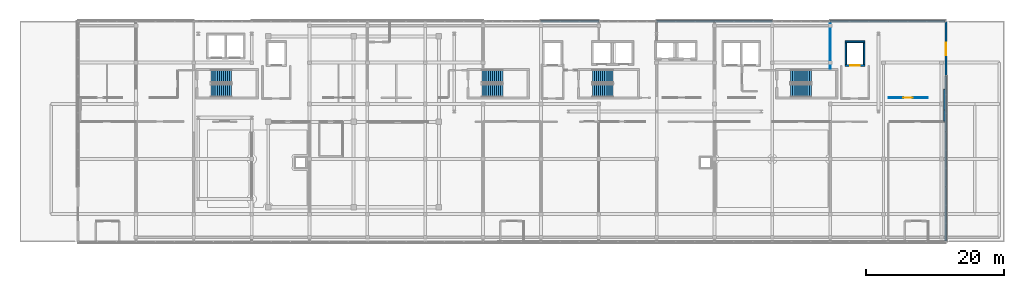
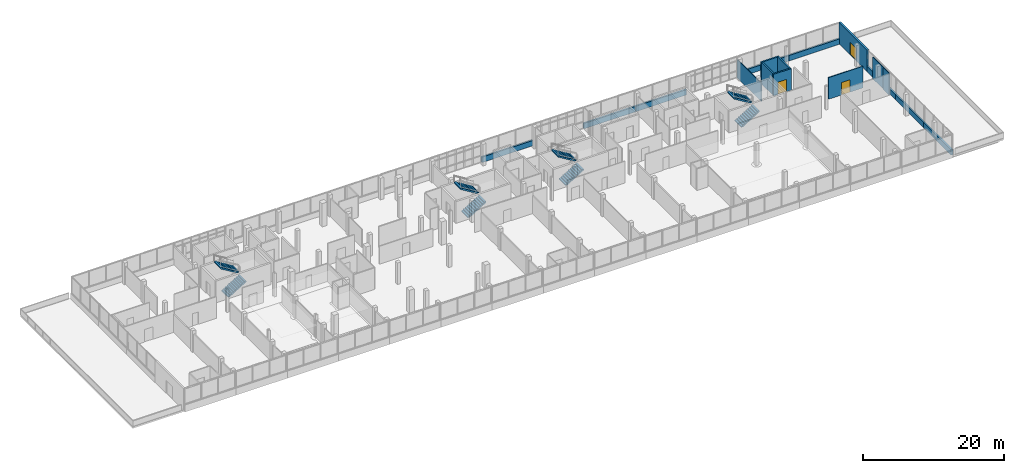
# One storey, part 60 of 67: 17 walls, 8 stair flights, 3 doors, 3 openings, 4 elements without a shape of their own.
"""IFC4 building model written with IfcOpenShell, lengths in metres."""

from ifc_helpers import new_model, si_unit, direction, frame, frame_2d, origin, place, context, subcontext, project, spatial, polyline, rectangle, outline, extrude, material, layer, layer_set, type_object, element, fill, aggregate, save


model = new_model("IFC4")

# Units and contexts
model_context = context("Model", 3, precision=1e-05, world=origin(), true_north=direction((0.0, 1.0)))
body_context = subcontext(model_context, "Body", "Model", "MODEL_VIEW")
ifc_project = project(units=[si_unit("LENGTHUNIT", "METRE"), si_unit("AREAUNIT", "SQUARE_METRE"), si_unit("VOLUMEUNIT", "CUBIC_METRE"), si_unit("PLANEANGLEUNIT", "RADIAN"), si_unit("MASSUNIT", "GRAM", prefix="KILO")], contexts=[model_context])

# Site, building, storey
site_placement = place(None, origin())
site = spatial("IfcSite", under=ifc_project, at=site_placement, CompositionType="ELEMENT")
building_placement = place(site_placement, origin())
building = spatial("IfcBuilding", under=site, at=building_placement, Name="Selatvlak General Hospital", CompositionType="ELEMENT")
storey_placement = place(building_placement, frame((0.0, 0.0, 35.39990234375)))
storey = spatial("IfcBuildingStorey", under=building, at=storey_placement, Name="L08", CompositionType="ELEMENT", Elevation=35.39990234375)

# Walls
ifc_material_1 = material(Name="Precast concrete C40/50 - white Bauhaus spandrel", Category="concrete")
ifc_layer_1 = layer(ifc_material_1, 0.280029296875, Name="Precast concrete C40/50 - white Bauhaus spandrel", Category="concrete")
ifc_layer_set_1 = layer_set([ifc_layer_1], Name="Precast concrete C40/50 - white Bauhaus spandrel")
wall_type_1 = type_object("IfcWallType", Name="WALL-EW-02", PredefinedType="SOLIDWALL", material=ifc_layer_set_1)
wall_1_placement = place(storey_placement, frame((98.40087890625, 120.0, 0.0), z_axis=(0.0, 0.0, 1.0), x_axis=(1.0, 0.0, 0.0)))
element("IfcWall", 1, at=wall_1_placement, inside=storey, type_object=wall_type_1, Name="L08 Bauhaus spandrel sill wall 0613", PredefinedType="SOLIDWALL", context=body_context, shape_type="SweptSolid", body=[
    extrude(rectangle(XDim=8.396240234375, YDim=0.280029296875, at=frame_2d((4.1982421875, 0.0))), origin(), (0.0, 0.0, 1.0), 0.940185546875),
])
for number, where, z_axis, x_axis, name in (
    (2, (115.200927734375, 120.0, 0.0), (0.0, 0.0, 1.0), (1.0, 0.0, 0.0), "L08 Bauhaus spandrel sill wall 0614"),
    (3, (123.60107421875, 120.0, 0.0), (0.0, 0.0, 1.0), (1.0, 0.0, 0.0), "L08 Bauhaus spandrel sill wall 0615"),
):
    element("IfcWall", number, at=place(storey_placement, frame(where, z_axis=z_axis, x_axis=x_axis)), inside=storey, type_object=wall_type_1, Name=name, PredefinedType="SOLIDWALL", context=body_context, shape_type="SweptSolid", body=[
        extrude(rectangle(XDim=8.39599609375, YDim=0.280029296875, at=frame_2d((4.197998046875, 0.0))), origin(), (0.0, 0.0, 1.0), 0.940185546875),
    ])
wall_2_placement = place(storey_placement, frame((140.40087890625, 120.0, 0.0), z_axis=(0.0, 0.0, 1.0), x_axis=(1.0, 0.0, 0.0)))
element("IfcWall", 4, at=wall_2_placement, inside=storey, type_object=wall_type_1, Name="L08 Bauhaus spandrel sill wall 0616", PredefinedType="SOLIDWALL", context=body_context, shape_type="SweptSolid", body=[
    extrude(rectangle(XDim=8.396240234375, YDim=0.280029296875, at=frame_2d((4.1982421875, 0.0))), origin(), (0.0, 0.0, 1.0), 0.940185546875),
])
wall_3_placement = place(storey_placement, frame((148.801025390625, 120.0, 0.0), z_axis=(0.0, 0.0, 1.0), x_axis=(1.0, 0.0, 0.0)))
element("IfcWall", 5, at=wall_3_placement, inside=storey, type_object=wall_type_1, Name="L08 Bauhaus spandrel sill wall 0617", PredefinedType="SOLIDWALL", context=body_context, shape_type="SweptSolid", body=[
    extrude(rectangle(XDim=8.258056640625, YDim=0.280029296875, at=frame_2d((4.12890625, 0.0))), origin(), (0.0, 0.0, 1.0), 0.940185546875),
])

# Wall, opening, door
wall_4_placement = place(storey_placement, frame((157.198974609375, 120.0, 0.0), z_axis=(0.0, 0.0, 1.0), x_axis=(0.0, -1.0, 0.0)))
wall_4 = element("IfcWall", 6, at=wall_4_placement, inside=storey, type_object=wall_type_1, Name="L08 exterior wall 0618", PredefinedType="SOLIDWALL", context=body_context, shape_type="SweptSolid", body=[
    extrude(rectangle(XDim=8.0, YDim=0.280029296875, at=frame_2d((4.0, 0.0))), origin(), (0.0, 0.0, 1.0), 3.739990234375),
])
opening_1_placement = place(wall_4_placement, frame((3.10009765625, 0.0, 0.0)))
opening_1 = element("IfcOpeningElement", 7, at=opening_1_placement, cuts=wall_4, Name="Opening DE-04", PredefinedType="OPENING", context=body_context, shape_type="SweptSolid", body=[
    extrude(rectangle(XDim=1.800048828125, YDim=2.199951171875, at=frame_2d((0.89990234375, 1.10009765625))), frame((0.0, 0.14990234375, 0.0), z_axis=(0.0, -1.0, 0.0), x_axis=(1.0, 0.0, 0.0)), (0.0, 0.0, 1.0), 0.300048828125),
])
ifc_material_2 = material(Name="Anodised aluminium terrace double door", Category="aluminium")
door_type_1 = type_object("IfcDoorType", Name="DOOR-DE-04", OperationType="DOUBLE_DOOR_SINGLE_SWING", PredefinedType="DOOR", material=ifc_material_2)
door_1_placement = place(opening_1_placement, origin())
door_1 = element("IfcDoor", 8, at=door_1_placement, inside=storey, type_object=door_type_1, Name="L08 healing roof terrace door 035", OperationType="DOUBLE_DOOR_SINGLE_SWING", OverallHeight=2.199951171875, OverallWidth=1.800048828125, PredefinedType="DOOR", context=body_context, shape_type="SweptSolid", body=[
    extrude(rectangle(XDim=1.800048828125, YDim=2.199951171875, at=frame_2d((0.89990234375, 1.10009765625))), frame((0.0, 0.02490234375, 0.0), z_axis=(0.0, -1.0, 0.0), x_axis=(1.0, 0.0, 0.0)), (0.0, 0.0, 1.0), 0.050048828125),
])
fill(opening_1, door_1)

# Walls
wall_5_placement = place(storey_placement, frame((157.198974609375, 111.998046875, 0.0), z_axis=(0.0, 0.0, 1.0), x_axis=(0.000122144863, -0.99999999254, 0.0)))
element("IfcWall", 9, at=wall_5_placement, inside=storey, type_object=wall_type_1, Name="L08 Bauhaus spandrel sill wall 0619", PredefinedType="SOLIDWALL", context=body_context, shape_type="SweptSolid", body=[
    extrude(rectangle(XDim=7.9951171875, YDim=0.280029296875, at=frame_2d((3.99755859375, 0.0))), origin(), (0.0, 0.0, 1.0), 0.940185546875),
])
wall_6_placement = place(storey_placement, frame((157.199951171875, 103.9990234375, 0.0), z_axis=(0.0, 0.0, 1.0), x_axis=(0.0, -1.0, 0.0)))
element("IfcWall", 10, at=wall_6_placement, inside=storey, type_object=wall_type_1, Name="L08 Bauhaus spandrel sill wall 0620", PredefinedType="SOLIDWALL", context=body_context, shape_type="SweptSolid", body=[
    extrude(rectangle(XDim=7.99609375, YDim=0.280029296875, at=frame_2d((3.998046875, 0.0))), origin(), (0.0, 0.0, 1.0), 0.940185546875),
])
wall_7_placement = place(storey_placement, frame((157.199951171875, 95.9990234375, 0.0), z_axis=(0.0, 0.0, 1.0), x_axis=(0.0, -1.0, 0.0)))
element("IfcWall", 11, at=wall_7_placement, inside=storey, type_object=wall_type_1, Name="L08 Bauhaus spandrel sill wall 0621", PredefinedType="SOLIDWALL", context=body_context, shape_type="SweptSolid", body=[
    extrude(rectangle(XDim=7.85791015625, YDim=0.280029296875, at=frame_2d((3.928955078125, 0.0))), origin(), (0.0, 0.0, 1.0), 0.940185546875),
])
ifc_material_3 = material(Name="Acoustic gypsum stud partition")
ifc_layer_2 = layer(ifc_material_3, 0.179931640625, Name="Acoustic gypsum stud partition")
ifc_layer_set_2 = layer_set([ifc_layer_2], Name="Acoustic gypsum stud partition")
wall_type_2 = type_object("IfcWallType", Name="WALL-PT-01", PredefinedType="PARTITIONING", material=ifc_layer_set_2)
wall_8_placement = place(storey_placement, frame((156.9599609375, 105.50390625, 0.0), z_axis=(0.0, 0.0, 1.0), x_axis=(0.0, 1.0, 0.0)))
element("IfcWall", 12, at=wall_8_placement, inside=storey, type_object=wall_type_2, Name="L08 clinical partition PT-L08-2202", PredefinedType="PARTITIONING", context=body_context, shape_type="SweptSolid", body=[
    extrude(rectangle(XDim=1.59619140625, YDim=0.179931640625, at=frame_2d((0.798095703125, 0.0))), origin(), (0.0, 0.0, 1.0), 3.739990234375),
])
ifc_layer_3 = layer(ifc_material_3, 0.14990234375, Name="Acoustic gypsum stud partition")
ifc_layer_set_3 = layer_set([ifc_layer_3], Name="Acoustic gypsum stud partition")
wall_type_3 = type_object("IfcWallType", Name="WALL-PT-03", PredefinedType="PARTITIONING", material=ifc_layer_set_3)
wall_9_placement = place(storey_placement, frame((156.9599609375, 107.10009765625, 0.0), z_axis=(0.0, 0.0, 1.0), x_axis=(0.0, 1.0, 0.0)))
element("IfcWall", 13, at=wall_9_placement, inside=storey, type_object=wall_type_3, Name="L08 clinical partition PT-L08-2237", PredefinedType="PARTITIONING", context=body_context, shape_type="SweptSolid", body=[
    extrude(rectangle(XDim=3.018798828125, YDim=0.14990234375, at=frame_2d((1.50927734375, 0.0))), origin(), (0.0, 0.0, 1.0), 3.739990234375),
])

# Wall, opening, door
ifc_material_4 = material(Name="Moisture-resistant clinical partition")
ifc_layer_4 = layer(ifc_material_4, 0.135009765625, Name="Moisture-resistant clinical partition")
ifc_layer_set_4 = layer_set([ifc_layer_4], Name="Moisture-resistant clinical partition")
wall_type_4 = type_object("IfcWallType", Name="WALL-PT-04", PredefinedType="PARTITIONING", material=ifc_layer_set_4)
wall_10_placement = place(storey_placement, frame((154.5390625, 108.909912109375, 0.0), z_axis=(0.0, 0.0, 1.0), x_axis=(-1.0, 0.0, 0.0)))
wall_10 = element("IfcWall", 14, at=wall_10_placement, inside=storey, type_object=wall_type_4, Name="L08 clinical partition PT-L08-2238", PredefinedType="PARTITIONING", context=body_context, shape_type="SweptSolid", body=[
    extrude(rectangle(XDim=5.653076171875, YDim=0.135009765625, at=frame_2d((2.82666015625, 0.0))), origin(), (0.0, 0.0, 1.0), 3.739990234375),
])
opening_2_placement = place(wall_10_placement, frame((2.1259765625, 0.0, 0.0)))
opening_2 = element("IfcOpeningElement", 15, at=opening_2_placement, cuts=wall_10, Name="Opening D-11", PredefinedType="OPENING", context=body_context, shape_type="SweptSolid", body=[
    extrude(rectangle(XDim=1.39990234375, YDim=2.14990234375, at=frame_2d((0.699951171875, 1.074951171875))), frame((0.0, 0.077392578125, 0.0), z_axis=(0.0, -1.0, 0.0), x_axis=(1.0, 0.0, 0.0)), (0.0, 0.0, 1.0), 0.155029296875),
])
ifc_material_5 = material(Name="Inpatient suite bed door")
door_type_2 = type_object("IfcDoorType", Name="DOOR-D-11", OperationType="NOTDEFINED", PredefinedType="DOOR", material=ifc_material_5)
door_2_placement = place(opening_2_placement, origin())
door_2 = element("IfcDoor", 16, at=door_2_placement, inside=storey, type_object=door_type_2, Name="L08 Helipad Trauma Staging Room 26 door", OperationType="SINGLE_SWING_LEFT", OverallHeight=2.14990234375, OverallWidth=1.39990234375, PredefinedType="DOOR", context=body_context, shape_type="SweptSolid", body=[
    extrude(rectangle(XDim=1.39990234375, YDim=2.14990234375, at=frame_2d((0.699951171875, 1.074951171875))), frame((0.0, 0.02490234375, 0.0), z_axis=(0.0, -1.0, 0.0), x_axis=(1.0, 0.0, 0.0)), (0.0, 0.0, 1.0), 0.050048828125),
])
fill(opening_2, door_2)

# Wall
ifc_layer_5 = layer(ifc_material_4, 0.1201171875, Name="Moisture-resistant clinical partition")
ifc_layer_set_5 = layer_set([ifc_layer_5], Name="Moisture-resistant clinical partition")
wall_type_5 = type_object("IfcWallType", Name="WALL-PT-05", PredefinedType="PARTITIONING", material=ifc_layer_set_5)
wall_11_placement = place(storey_placement, frame((140.39990234375, 119.989990234375, 0.0), z_axis=(0.0, 0.0, 1.0), x_axis=(0.0, -1.0, 0.0)))
element("IfcWall", 17, at=wall_11_placement, inside=storey, type_object=wall_type_5, Name="L08 clinical partition PT-L08-2229", PredefinedType="PARTITIONING", context=body_context, shape_type="SweptSolid", body=[
    extrude(rectangle(XDim=6.843017578125, YDim=0.1201171875, at=frame_2d((3.42138671875, 0.0))), origin(), (0.0, 0.0, 1.0), 3.14013671875),
])

# Wall, opening, door
ifc_material_6 = material(Name="Concrete C40/50", Category="concrete")
ifc_layer_6 = layer(ifc_material_6, 0.25, Name="Concrete C40/50", Category="concrete")
ifc_layer_set_6 = layer_set([ifc_layer_6], Name="Concrete C40/50")
wall_type_6 = type_object("IfcWallType", Name="WALL-SW-03", PredefinedType="SHEAR", material=ifc_layer_set_6)
wall_12_placement = place(storey_placement, frame((142.550048828125, 113.574951171875, 0.0), z_axis=(0.0, 0.0, 1.0), x_axis=(1.0, 0.0, 0.0)))
wall_12 = element("IfcWall", 18, at=wall_12_placement, inside=storey, type_object=wall_type_6, Name="Lift LF-03 shaft wall L08 S", PredefinedType="SHEAR", context=body_context, shape_type="SweptSolid", body=[
    extrude(rectangle(XDim=2.89990234375, YDim=0.25, at=frame_2d((1.449951171875, 0.0))), origin(), (0.0, 0.0, 1.0), 3.739990234375),
])
opening_3_placement = place(wall_12_placement, frame((0.75, 0.0, 0.0)))
opening_3 = element("IfcOpeningElement", 19, at=opening_3_placement, cuts=wall_12, Name="Opening LD-F1", PredefinedType="OPENING", context=body_context, shape_type="SweptSolid", body=[
    extrude(rectangle(XDim=1.39990234375, YDim=2.14990234375, at=frame_2d((0.699951171875, 1.074951171875))), frame((0.0, 0.135009765625, 0.0), z_axis=(0.0, -1.0, 0.0), x_axis=(1.0, 0.0, 0.0)), (0.0, 0.0, 1.0), 0.27001953125),
])
ifc_material_7 = material(Name="Stainless steel fire lift landing door", Category="steel")
door_type_3 = type_object("IfcDoorType", Name="DOOR-LD-F1", OperationType="DOUBLE_DOOR_SLIDING", PredefinedType="DOOR", material=ifc_material_7)
door_3_placement = place(opening_3_placement, origin())
door_3 = element("IfcDoor", 20, at=door_3_placement, inside=storey, type_object=door_type_3, Name="Lift LF-03 sliding landing door on L08", OperationType="DOUBLE_DOOR_SLIDING", OverallHeight=2.14990234375, OverallWidth=1.39990234375, PredefinedType="DOOR", context=body_context, shape_type="SweptSolid", body=[
    extrude(rectangle(XDim=1.39990234375, YDim=2.14990234375, at=frame_2d((0.699951171875, 1.074951171875))), frame((0.0, 0.02490234375, 0.0), z_axis=(0.0, -1.0, 0.0), x_axis=(1.0, 0.0, 0.0)), (0.0, 0.0, 1.0), 0.050048828125),
])
fill(opening_3, door_3)

# Walls
wall_13_placement = place(storey_placement, frame((145.324951171875, 113.699951171875, 0.0), z_axis=(0.0, 0.0, 1.0), x_axis=(0.0, 1.0, 0.0)))
element("IfcWall", 21, at=wall_13_placement, inside=storey, type_object=wall_type_6, Name="Lift LF-03 shaft wall L08 E", PredefinedType="SHEAR", context=body_context, shape_type="SweptSolid", body=[
    extrude(rectangle(XDim=3.199951171875, YDim=0.25, at=frame_2d((1.60009765625, 0.0))), origin(), (0.0, 0.0, 1.0), 3.739990234375),
])
wall_14_placement = place(storey_placement, frame((145.449951171875, 117.02490234375, 0.0), z_axis=(0.0, 0.0, 1.0), x_axis=(-1.0, 0.0, 0.0)))
element("IfcWall", 22, at=wall_14_placement, inside=storey, type_object=wall_type_6, Name="Lift LF-03 shaft wall L08 N", PredefinedType="SHEAR", context=body_context, shape_type="SweptSolid", body=[
    extrude(rectangle(XDim=2.89990234375, YDim=0.25, at=frame_2d((1.449951171875, 0.0))), origin(), (0.0, 0.0, 1.0), 3.739990234375),
])
wall_15_placement = place(storey_placement, frame((142.675048828125, 116.89990234375, 0.0), z_axis=(0.0, 0.0, 1.0), x_axis=(0.0, -1.0, 0.0)))
element("IfcWall", 23, at=wall_15_placement, inside=storey, type_object=wall_type_6, Name="Lift LF-03 shaft wall L08 W", PredefinedType="SHEAR", context=body_context, shape_type="SweptSolid", body=[
    extrude(rectangle(XDim=3.199951171875, YDim=0.25, at=frame_2d((1.60009765625, 0.0))), origin(), (0.0, 0.0, 1.0), 3.739990234375),
])

# Stair, stair flights
ifc_material_8 = material(Name="Precast concrete C40/50", Category="concrete")
stair_type_1 = type_object("IfcStairType", Name="STAIR-ST-01", PredefinedType="HALF_TURN_STAIR", material=ifc_material_8)
stair_1_placement = place(storey_placement, origin())
stair_1 = element("IfcStair", 24, at=stair_1_placement, inside=storey, type_object=stair_type_1, Name="L08 Protected exit stair ST-01", PredefinedType="HALF_TURN_STAIR")
ifc_layer_7 = layer(ifc_material_8, 0.179931640625, Name="Precast concrete C40/50", Category="concrete")
ifc_layer_set_7 = layer_set([ifc_layer_7], Name="Precast concrete C40/50")
stair_flight_type_1 = type_object("IfcStairFlightType", Name="FLIGHT-ST-01", PredefinedType="STRAIGHT", material=ifc_layer_set_7)
stair_flight_1_placement = place(storey_placement, frame((50.510009765625, 109.929931640625, 0.0), z_axis=(0.0, 0.0, 1.0), x_axis=(1.0, 0.0, 0.0)))
stair_flight_1 = element("IfcStairFlight", 25, at=stair_flight_1_placement, type_object=stair_flight_type_1, Name="ST-01 flight 1", NumberOfRisers=11, NumberOfTreads=10, PredefinedType="STRAIGHT", RiserHeight=0.184090909, TreadLength=0.3, context=body_context, shape_type="SweptSolid", body=[
    extrude(outline(polyline([(0.0, 0.0), (0.0, 0.18408203125), (0.300048828125, 0.18408203125), (0.300048828125, 0.3681640625), (0.60009765625, 0.3681640625), (0.60009765625, 0.55224609375), (0.89990234375, 0.55224609375), (0.89990234375, 0.736328125), (1.199951171875, 0.736328125), (1.199951171875, 0.92041015625), (1.5, 0.92041015625), (1.5, 1.1044921875), (1.800048828125, 1.1044921875), (1.800048828125, 1.28857421875), (2.10009765625, 1.28857421875), (2.10009765625, 1.47265625), (2.39990234375, 1.47265625), (2.39990234375, 1.65673828125), (2.699951171875, 1.65673828125), (2.699951171875, 1.8408203125), (3.0, 1.8408203125), (3.0, 2.02490234375), (3.0, 1.6298828125), (0.343994140625, 0.0), (0.0, 0.0)])), frame((0.0, 0.93017578125, 0.0), z_axis=(0.0, -1.0, 0.0), x_axis=(1.0, 0.0, 0.0)), (0.0, 0.0, 1.0), 1.860107421875),
])
stair_flight_2_placement = place(storey_placement, frame((53.510009765625, 112.010009765625, 2.025146484375), z_axis=(0.0, 0.0, 1.0), x_axis=(-1.0, 0.0, 0.0)))
stair_flight_2 = element("IfcStairFlight", 26, at=stair_flight_2_placement, type_object=stair_flight_type_1, Name="ST-01 flight 2", NumberOfRisers=11, NumberOfTreads=10, PredefinedType="STRAIGHT", RiserHeight=0.184090909, TreadLength=0.3, context=body_context, shape_type="SweptSolid", body=[
    extrude(outline(polyline([(0.0, 0.0), (0.0, 0.18408203125), (0.300048828125, 0.18408203125), (0.300048828125, 0.3681640625), (0.60009765625, 0.3681640625), (0.60009765625, 0.55224609375), (0.89990234375, 0.55224609375), (0.89990234375, 0.736328125), (1.199951171875, 0.736328125), (1.199951171875, 0.92041015625), (1.5, 0.92041015625), (1.5, 1.1044921875), (1.800048828125, 1.1044921875), (1.800048828125, 1.28857421875), (2.10009765625, 1.28857421875), (2.10009765625, 1.47265625), (2.39990234375, 1.47265625), (2.39990234375, 1.65673828125), (2.699951171875, 1.65673828125), (2.699951171875, 1.8408203125), (3.0, 1.8408203125), (3.0, 2.02490234375), (3.0, 1.6298828125), (0.343994140625, 0.0), (0.0, 0.0)])), frame((0.0, 0.93017578125, 0.0), z_axis=(0.0, -1.0, 0.0), x_axis=(1.0, 0.0, 0.0)), (0.0, 0.0, 1.0), 1.860107421875),
])
aggregate(stair_1, [stair_flight_1, stair_flight_2])

stair_type_2 = type_object("IfcStairType", Name="STAIR-ST-02", PredefinedType="HALF_TURN_STAIR", material=ifc_material_8)
stair_2_placement = place(storey_placement, origin())
stair_2 = element("IfcStair", 27, at=stair_2_placement, inside=storey, type_object=stair_type_2, Name="L08 Protected exit stair ST-02", PredefinedType="HALF_TURN_STAIR")
ifc_layer_8 = layer(ifc_material_8, 0.179931640625, Name="Precast concrete C40/50", Category="concrete")
ifc_layer_set_8 = layer_set([ifc_layer_8], Name="Precast concrete C40/50")
stair_flight_type_2 = type_object("IfcStairFlightType", Name="FLIGHT-ST-02", PredefinedType="STRAIGHT", material=ifc_layer_set_8)
stair_flight_3_placement = place(storey_placement, frame((89.860107421875, 109.929931640625, 0.0), z_axis=(0.0, 0.0, 1.0), x_axis=(1.0, 0.0, 0.0)))
stair_flight_3 = element("IfcStairFlight", 28, at=stair_flight_3_placement, type_object=stair_flight_type_2, Name="ST-02 flight 1", NumberOfRisers=11, NumberOfTreads=10, PredefinedType="STRAIGHT", RiserHeight=0.184090909, TreadLength=0.3, context=body_context, shape_type="SweptSolid", body=[
    extrude(outline(polyline([(0.0, 0.0), (0.0, 0.18408203125), (0.300048828125, 0.18408203125), (0.300048828125, 0.3681640625), (0.60009765625, 0.3681640625), (0.60009765625, 0.55224609375), (0.89990234375, 0.55224609375), (0.89990234375, 0.736328125), (1.199951171875, 0.736328125), (1.199951171875, 0.92041015625), (1.5, 0.92041015625), (1.5, 1.1044921875), (1.800048828125, 1.1044921875), (1.800048828125, 1.28857421875), (2.10009765625, 1.28857421875), (2.10009765625, 1.47265625), (2.39990234375, 1.47265625), (2.39990234375, 1.65673828125), (2.699951171875, 1.65673828125), (2.699951171875, 1.8408203125), (3.0, 1.8408203125), (3.0, 2.02490234375), (3.0, 1.6298828125), (0.343994140625, 0.0), (0.0, 0.0)])), frame((0.0, 0.93017578125, 0.0), z_axis=(0.0, -1.0, 0.0), x_axis=(1.0, 0.0, 0.0)), (0.0, 0.0, 1.0), 1.860107421875),
])
stair_flight_4_placement = place(storey_placement, frame((92.860107421875, 112.010009765625, 2.025146484375), z_axis=(0.0, 0.0, 1.0), x_axis=(-1.0, 0.0, 0.0)))
stair_flight_4 = element("IfcStairFlight", 29, at=stair_flight_4_placement, type_object=stair_flight_type_2, Name="ST-02 flight 2", NumberOfRisers=11, NumberOfTreads=10, PredefinedType="STRAIGHT", RiserHeight=0.184090909, TreadLength=0.3, context=body_context, shape_type="SweptSolid", body=[
    extrude(outline(polyline([(0.0, 0.0), (0.0, 0.18408203125), (0.300048828125, 0.18408203125), (0.300048828125, 0.3681640625), (0.60009765625, 0.3681640625), (0.60009765625, 0.55224609375), (0.89990234375, 0.55224609375), (0.89990234375, 0.736328125), (1.199951171875, 0.736328125), (1.199951171875, 0.92041015625), (1.5, 0.92041015625), (1.5, 1.1044921875), (1.800048828125, 1.1044921875), (1.800048828125, 1.28857421875), (2.10009765625, 1.28857421875), (2.10009765625, 1.47265625), (2.39990234375, 1.47265625), (2.39990234375, 1.65673828125), (2.699951171875, 1.65673828125), (2.699951171875, 1.8408203125), (3.0, 1.8408203125), (3.0, 2.02490234375), (3.0, 1.6298828125), (0.343994140625, 0.0), (0.0, 0.0)])), frame((0.0, 0.93017578125, 0.0), z_axis=(0.0, -1.0, 0.0), x_axis=(1.0, 0.0, 0.0)), (0.0, 0.0, 1.0), 1.860107421875),
])
aggregate(stair_2, [stair_flight_3, stair_flight_4])

stair_type_3 = type_object("IfcStairType", Name="STAIR-ST-03", PredefinedType="HALF_TURN_STAIR", material=ifc_material_8)
stair_3_placement = place(storey_placement, origin())
stair_3 = element("IfcStair", 30, at=stair_3_placement, inside=storey, type_object=stair_type_3, Name="L08 Protected exit stair ST-03", PredefinedType="HALF_TURN_STAIR")
ifc_layer_9 = layer(ifc_material_8, 0.179931640625, Name="Precast concrete C40/50", Category="concrete")
ifc_layer_set_9 = layer_set([ifc_layer_9], Name="Precast concrete C40/50")
stair_flight_type_3 = type_object("IfcStairFlightType", Name="FLIGHT-ST-03", PredefinedType="STRAIGHT", material=ifc_layer_set_9)
stair_flight_5_placement = place(storey_placement, frame((105.860107421875, 109.929931640625, 0.0), z_axis=(0.0, 0.0, 1.0), x_axis=(1.0, 0.0, 0.0)))
stair_flight_5 = element("IfcStairFlight", 31, at=stair_flight_5_placement, type_object=stair_flight_type_3, Name="ST-03 flight 1", NumberOfRisers=11, NumberOfTreads=10, PredefinedType="STRAIGHT", RiserHeight=0.184090909, TreadLength=0.3, context=body_context, shape_type="SweptSolid", body=[
    extrude(outline(polyline([(0.0, 0.0), (0.0, 0.18408203125), (0.300048828125, 0.18408203125), (0.300048828125, 0.3681640625), (0.60009765625, 0.3681640625), (0.60009765625, 0.55224609375), (0.89990234375, 0.55224609375), (0.89990234375, 0.736328125), (1.199951171875, 0.736328125), (1.199951171875, 0.92041015625), (1.5, 0.92041015625), (1.5, 1.1044921875), (1.800048828125, 1.1044921875), (1.800048828125, 1.28857421875), (2.10009765625, 1.28857421875), (2.10009765625, 1.47265625), (2.39990234375, 1.47265625), (2.39990234375, 1.65673828125), (2.699951171875, 1.65673828125), (2.699951171875, 1.8408203125), (3.0, 1.8408203125), (3.0, 2.02490234375), (3.0, 1.6298828125), (0.343994140625, 0.0), (0.0, 0.0)])), frame((0.0, 0.93017578125, 0.0), z_axis=(0.0, -1.0, 0.0), x_axis=(1.0, 0.0, 0.0)), (0.0, 0.0, 1.0), 1.860107421875),
])
stair_flight_6_placement = place(storey_placement, frame((108.860107421875, 112.010009765625, 2.025146484375), z_axis=(0.0, 0.0, 1.0), x_axis=(-1.0, 0.0, 0.0)))
stair_flight_6 = element("IfcStairFlight", 32, at=stair_flight_6_placement, type_object=stair_flight_type_3, Name="ST-03 flight 2", NumberOfRisers=11, NumberOfTreads=10, PredefinedType="STRAIGHT", RiserHeight=0.184090909, TreadLength=0.3, context=body_context, shape_type="SweptSolid", body=[
    extrude(outline(polyline([(0.0, 0.0), (0.0, 0.18408203125), (0.300048828125, 0.18408203125), (0.300048828125, 0.3681640625), (0.60009765625, 0.3681640625), (0.60009765625, 0.55224609375), (0.89990234375, 0.55224609375), (0.89990234375, 0.736328125), (1.199951171875, 0.736328125), (1.199951171875, 0.92041015625), (1.5, 0.92041015625), (1.5, 1.1044921875), (1.800048828125, 1.1044921875), (1.800048828125, 1.28857421875), (2.10009765625, 1.28857421875), (2.10009765625, 1.47265625), (2.39990234375, 1.47265625), (2.39990234375, 1.65673828125), (2.699951171875, 1.65673828125), (2.699951171875, 1.8408203125), (3.0, 1.8408203125), (3.0, 2.02490234375), (3.0, 1.6298828125), (0.343994140625, 0.0), (0.0, 0.0)])), frame((0.0, 0.93017578125, 0.0), z_axis=(0.0, -1.0, 0.0), x_axis=(1.0, 0.0, 0.0)), (0.0, 0.0, 1.0), 1.860107421875),
])
aggregate(stair_3, [stair_flight_5, stair_flight_6])

stair_type_4 = type_object("IfcStairType", Name="STAIR-ST-04", PredefinedType="HALF_TURN_STAIR", material=ifc_material_8)
stair_4_placement = place(storey_placement, origin())
stair_4 = element("IfcStair", 33, at=stair_4_placement, inside=storey, type_object=stair_type_4, Name="L08 Protected exit stair ST-04", PredefinedType="HALF_TURN_STAIR")
ifc_layer_10 = layer(ifc_material_8, 0.179931640625, Name="Precast concrete C40/50", Category="concrete")
ifc_layer_set_10 = layer_set([ifc_layer_10], Name="Precast concrete C40/50")
stair_flight_type_4 = type_object("IfcStairFlightType", Name="FLIGHT-ST-04", PredefinedType="STRAIGHT", material=ifc_layer_set_10)
stair_flight_7_placement = place(storey_placement, frame((134.659912109375, 109.929931640625, 0.0), z_axis=(0.0, 0.0, 1.0), x_axis=(1.0, 0.0, 0.0)))
stair_flight_7 = element("IfcStairFlight", 34, at=stair_flight_7_placement, type_object=stair_flight_type_4, Name="ST-04 flight 1", NumberOfRisers=11, NumberOfTreads=10, PredefinedType="STRAIGHT", RiserHeight=0.184090909, TreadLength=0.3, context=body_context, shape_type="SweptSolid", body=[
    extrude(outline(polyline([(0.0, 0.0), (0.0, 0.18408203125), (0.300048828125, 0.18408203125), (0.300048828125, 0.3681640625), (0.60009765625, 0.3681640625), (0.60009765625, 0.55224609375), (0.89990234375, 0.55224609375), (0.89990234375, 0.736328125), (1.199951171875, 0.736328125), (1.199951171875, 0.92041015625), (1.5, 0.92041015625), (1.5, 1.1044921875), (1.800048828125, 1.1044921875), (1.800048828125, 1.28857421875), (2.10009765625, 1.28857421875), (2.10009765625, 1.47265625), (2.39990234375, 1.47265625), (2.39990234375, 1.65673828125), (2.699951171875, 1.65673828125), (2.699951171875, 1.8408203125), (3.0, 1.8408203125), (3.0, 2.02490234375), (3.0, 1.6298828125), (0.343994140625, 0.0), (0.0, 0.0)])), frame((0.0, 0.93017578125, 0.0), z_axis=(0.0, -1.0, 0.0), x_axis=(1.0, 0.0, 0.0)), (0.0, 0.0, 1.0), 1.860107421875),
])
stair_flight_8_placement = place(storey_placement, frame((137.659912109375, 112.010009765625, 2.025146484375), z_axis=(0.0, 0.0, 1.0), x_axis=(-1.0, 0.0, 0.0)))
stair_flight_8 = element("IfcStairFlight", 35, at=stair_flight_8_placement, type_object=stair_flight_type_4, Name="ST-04 flight 2", NumberOfRisers=11, NumberOfTreads=10, PredefinedType="STRAIGHT", RiserHeight=0.184090909, TreadLength=0.3, context=body_context, shape_type="SweptSolid", body=[
    extrude(outline(polyline([(0.0, 0.0), (0.0, 0.18408203125), (0.300048828125, 0.18408203125), (0.300048828125, 0.3681640625), (0.60009765625, 0.3681640625), (0.60009765625, 0.55224609375), (0.89990234375, 0.55224609375), (0.89990234375, 0.736328125), (1.199951171875, 0.736328125), (1.199951171875, 0.92041015625), (1.5, 0.92041015625), (1.5, 1.1044921875), (1.800048828125, 1.1044921875), (1.800048828125, 1.28857421875), (2.10009765625, 1.28857421875), (2.10009765625, 1.47265625), (2.39990234375, 1.47265625), (2.39990234375, 1.65673828125), (2.699951171875, 1.65673828125), (2.699951171875, 1.8408203125), (3.0, 1.8408203125), (3.0, 2.02490234375), (3.0, 1.6298828125), (0.343994140625, 0.0), (0.0, 0.0)])), frame((0.0, 0.93017578125, 0.0), z_axis=(0.0, -1.0, 0.0), x_axis=(1.0, 0.0, 0.0)), (0.0, 0.0, 1.0), 1.860107421875),
])
aggregate(stair_4, [stair_flight_7, stair_flight_8])

save(model, "model.ifc")
